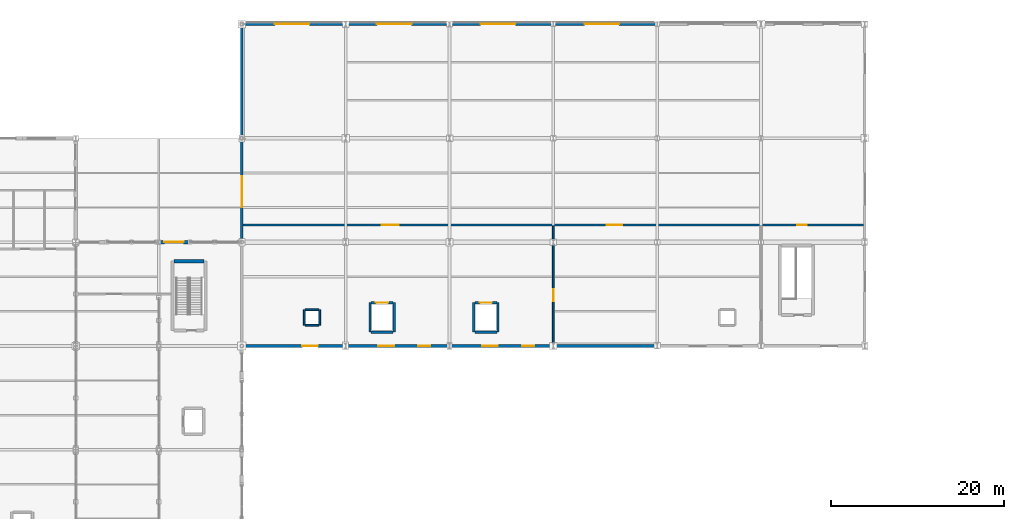
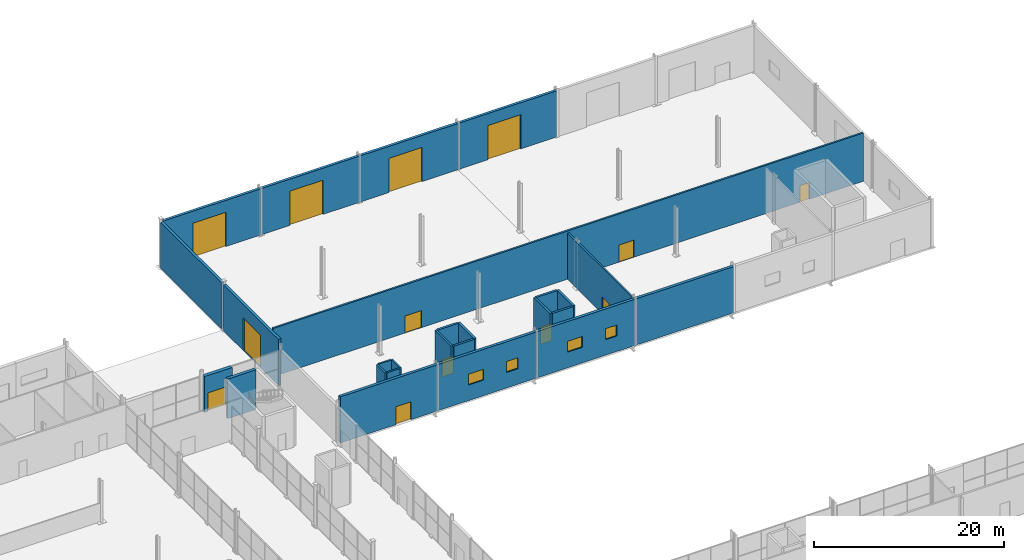
# One storey, part 173 of 196: 26 walls, 13 doors, 4 windows, 17 openings.
"""IFC4 building model written with IfcOpenShell, lengths in metres."""

from ifc_helpers import new_model, si_unit, direction, frame, frame_2d, origin, place, context, subcontext, project, spatial, rectangle, extrude, material, layer, layer_set, type_object, element, fill, save


model = new_model("IFC4")

# Units and contexts
model_context = context("Model", 3, precision=1e-05, world=origin(), true_north=direction((0.0, 1.0)))
body_context = subcontext(model_context, "Body", "Model", "MODEL_VIEW")
ifc_project = project(units=[si_unit("LENGTHUNIT", "METRE"), si_unit("AREAUNIT", "SQUARE_METRE"), si_unit("VOLUMEUNIT", "CUBIC_METRE"), si_unit("PLANEANGLEUNIT", "RADIAN"), si_unit("MASSUNIT", "GRAM", prefix="KILO")], contexts=[model_context])

# Site, building, storey
site_placement = place(None, origin())
site = spatial("IfcSite", under=ifc_project, at=site_placement, CompositionType="ELEMENT")
building_placement = place(site_placement, origin())
building = spatial("IfcBuilding", under=site, at=building_placement, Name="Merenkruunu Market Hall", CompositionType="ELEMENT")
storey_placement = place(building_placement, origin())
storey = spatial("IfcBuildingStorey", under=building, at=storey_placement, Name="L00", CompositionType="ELEMENT", Elevation=0.0)

# Wall, opening, door
ifc_material_1 = material(Name="Kuru grey granite", Category="masonry")
ifc_layer_1 = layer(ifc_material_1, 0.419921875)
ifc_layer_set_1 = layer_set([ifc_layer_1], Name="Kuru grey granite")
wall_type_1 = type_object("IfcWallType", Name="Exterior Envelope Wall EW01", PredefinedType="STANDARD", material=ifc_layer_set_1)
wall_1_placement = place(storey_placement, frame((67.4072265625, 99.60009765625, 0.0), z_axis=(0.0, 0.0, 1.0), x_axis=(1.0, 0.0, 0.0)))
wall_1 = element("IfcWall", 1, at=wall_1_placement, inside=storey, type_object=wall_type_1, Name="WALL-EXT-L00-0027", PredefinedType="STANDARD", context=body_context, shape_type="SweptSolid", body=[
    extrude(rectangle(XDim=3.392822265625, YDim=0.419921875, at=frame_2d((1.6962890625, 0.0))), origin(), (0.0, 0.0, 1.0), 4.635009765625),
])
opening_1_placement = place(wall_1_placement, frame((0.449951171875, 0.0, 0.0)))
opening_1 = element("IfcOpeningElement", 2, at=opening_1_placement, cuts=wall_1, Name="Opening EXD02", PredefinedType="OPENING", context=body_context, shape_type="SweptSolid", body=[
    extrude(rectangle(XDim=2.199951171875, YDim=2.39990234375, at=frame_2d((1.10009765625, 1.199951171875))), frame((0.0, 0.219970703125, 0.0), z_axis=(0.0, -1.0, 0.0), x_axis=(1.0, 0.0, 0.0)), (0.0, 0.0, 1.0), 0.43994140625),
])
ifc_material_2 = material(Name="Powder-coated aluminium", Category="aluminium")
door_type_1 = type_object("IfcDoorType", Name="Pedestrian Exit Door EXD02", OperationType="NOTDEFINED", PredefinedType="DOOR", material=ifc_material_2)
door_1_placement = place(opening_1_placement, origin())
door_1 = element("IfcDoor", 3, at=door_1_placement, inside=storey, type_object=door_type_1, Name="EX-13", OperationType="DOUBLE_DOOR_SINGLE_SWING", OverallHeight=2.39990234375, OverallWidth=2.199951171875, PredefinedType="DOOR", context=body_context, shape_type="SweptSolid", body=[
    extrude(rectangle(XDim=2.199951171875, YDim=2.39990234375, at=frame_2d((1.10009765625, 1.199951171875))), frame((0.0, 0.02490234375, 0.0), z_axis=(0.0, -1.0, 0.0), x_axis=(1.0, 0.0, 0.0)), (0.0, 0.0, 1.0), 0.050048828125),
])
fill(opening_1, door_1)

ifc_material_3 = material(Name="Precast concrete C40/50", Category="concrete")
ifc_layer_2 = layer(ifc_material_3, 0.340087890625)
ifc_layer_set_2 = layer_set([ifc_layer_2], Name="Precast concrete C40/50")
wall_type_2 = type_object("IfcWallType", Name="Exterior Envelope Wall EW03", PredefinedType="STANDARD", material=ifc_layer_set_2)
wall_2_placement = place(storey_placement, frame((88.789794921875, 87.60009765625, 0.0), z_axis=(0.0, 0.0, 1.0), x_axis=(-1.0, 0.0, 0.0)))
wall_2 = element("IfcWall", 4, at=wall_2_placement, inside=storey, type_object=wall_type_2, Name="WALL-EXT-L00-0051", PredefinedType="STANDARD", context=body_context, shape_type="SweptSolid", body=[
    extrude(rectangle(XDim=11.78271484375, YDim=0.340087890625, at=frame_2d((5.891357421875, 0.0))), origin(), (0.0, 0.0, 1.0), 5.93505859375),
])
opening_2_placement = place(wall_2_placement, frame((3.199951171875, 0.0, 0.0)))
opening_2 = element("IfcOpeningElement", 5, at=opening_2_placement, cuts=wall_2, Name="Opening EXD04", PredefinedType="OPENING", context=body_context, shape_type="SweptSolid", body=[
    extrude(rectangle(XDim=1.800048828125, YDim=2.300048828125, at=frame_2d((0.89990234375, 1.14990234375))), frame((0.0, 0.18017578125, 0.0), z_axis=(0.0, -1.0, 0.0), x_axis=(1.0, 0.0, 0.0)), (0.0, 0.0, 1.0), 0.360107421875),
])
door_type_2 = type_object("IfcDoorType", Name="Pedestrian Exit Door EXD04", OperationType="NOTDEFINED", PredefinedType="DOOR", material=ifc_material_2)
door_2_placement = place(opening_2_placement, origin())
door_2 = element("IfcDoor", 6, at=door_2_placement, inside=storey, type_object=door_type_2, Name="EX-23", OperationType="DOUBLE_DOOR_SINGLE_SWING", OverallHeight=2.300048828125, OverallWidth=1.800048828125, PredefinedType="DOOR", context=body_context, shape_type="SweptSolid", body=[
    extrude(rectangle(XDim=1.800048828125, YDim=2.300048828125, at=frame_2d((0.89990234375, 1.14990234375))), frame((0.0, 0.02490234375, 0.0), z_axis=(0.0, -1.0, 0.0), x_axis=(1.0, 0.0, 0.0)), (0.0, 0.0, 1.0), 0.050048828125),
])
fill(opening_2, door_2)

# Wall, openings, windows
wall_3_placement = place(storey_placement, frame((100.789794921875, 87.60009765625, 0.0), z_axis=(0.0, 0.0, 1.0), x_axis=(-1.0, 0.0, 0.0)))
wall_3 = element("IfcWall", 7, at=wall_3_placement, inside=storey, type_object=wall_type_2, Name="WALL-EXT-L00-0052", PredefinedType="STANDARD", context=body_context, shape_type="SweptSolid", body=[
    extrude(rectangle(XDim=11.9794921875, YDim=0.340087890625, at=frame_2d((5.98974609375, 0.0))), origin(), (0.0, 0.0, 1.0), 5.93505859375),
])
opening_3_placement = place(wall_3_placement, frame((2.199951171875, 0.0, 2.0)))
opening_3 = element("IfcOpeningElement", 8, at=opening_3_placement, cuts=wall_3, Name="Opening WN13", PredefinedType="OPENING", context=body_context, shape_type="SweptSolid", body=[
    extrude(rectangle(XDim=1.39990234375, YDim=1.39990234375, at=frame_2d((0.699951171875, 0.699951171875))), frame((0.0, 0.18017578125, 0.0), z_axis=(0.0, -1.0, 0.0), x_axis=(1.0, 0.0, 0.0)), (0.0, 0.0, 1.0), 0.360107421875),
])
opening_4_placement = place(wall_3_placement, frame((6.39990234375, 0.0, 2.0)))
opening_4 = element("IfcOpeningElement", 9, at=opening_4_placement, cuts=wall_3, Name="Opening WN14", PredefinedType="OPENING", context=body_context, shape_type="SweptSolid", body=[
    extrude(rectangle(XDim=1.800048828125, YDim=1.39990234375, at=frame_2d((0.89990234375, 0.699951171875))), frame((0.0, 0.18017578125, 0.0), z_axis=(0.0, -1.0, 0.0), x_axis=(1.0, 0.0, 0.0)), (0.0, 0.0, 1.0), 0.360107421875),
])
ifc_material_4 = material(Name="Triple low-E insulated glass", Category="glass")
ifc_layer_3 = layer(ifc_material_4, 0.06005859375)
ifc_layer_set_3 = layer_set([ifc_layer_3], Name="Triple low-E insulated glass")
window_type_1 = type_object("IfcWindowType", Name="Exterior Window WN13", PartitioningType="SINGLE_PANEL", PredefinedType="WINDOW", material=ifc_layer_set_3)
window_1_placement = place(opening_3_placement, origin())
window_1 = element("IfcWindow", 10, at=window_1_placement, inside=storey, type_object=window_type_1, Name="WIN-L00-0014", OverallHeight=1.39990234375, OverallWidth=1.39990234375, PartitioningType="SINGLE_PANEL", PredefinedType="WINDOW", context=body_context, shape_type="SweptSolid", body=[
    extrude(rectangle(XDim=1.39990234375, YDim=1.39990234375, at=frame_2d((0.699951171875, 0.699951171875))), frame((0.0, 0.030029296875, 0.0), z_axis=(0.0, -1.0, 0.0), x_axis=(1.0, 0.0, 0.0)), (0.0, 0.0, 1.0), 0.06005859375),
])
fill(opening_3, window_1)
ifc_layer_4 = layer(ifc_material_4, 0.06005859375)
ifc_layer_set_4 = layer_set([ifc_layer_4], Name="Triple low-E insulated glass")
window_type_2 = type_object("IfcWindowType", Name="Exterior Window WN14", PartitioningType="SINGLE_PANEL", PredefinedType="WINDOW", material=ifc_layer_set_4)
window_2_placement = place(opening_4_placement, origin())
window_2 = element("IfcWindow", 11, at=window_2_placement, inside=storey, type_object=window_type_2, Name="WIN-L00-0015", OverallHeight=1.39990234375, OverallWidth=1.800048828125, PartitioningType="SINGLE_PANEL", PredefinedType="WINDOW", context=body_context, shape_type="SweptSolid", body=[
    extrude(rectangle(XDim=1.800048828125, YDim=1.39990234375, at=frame_2d((0.89990234375, 0.699951171875))), frame((0.0, 0.030029296875, 0.0), z_axis=(0.0, -1.0, 0.0), x_axis=(1.0, 0.0, 0.0)), (0.0, 0.0, 1.0), 0.06005859375),
])
fill(opening_4, window_2)

wall_4_placement = place(storey_placement, frame((112.789794921875, 87.60009765625, 0.0), z_axis=(0.0, 0.0, 1.0), x_axis=(-1.0, 0.0, 0.0)))
wall_4 = element("IfcWall", 12, at=wall_4_placement, inside=storey, type_object=wall_type_2, Name="WALL-EXT-L00-0053", PredefinedType="STANDARD", context=body_context, shape_type="SweptSolid", body=[
    extrude(rectangle(XDim=11.9794921875, YDim=0.340087890625, at=frame_2d((5.98974609375, 0.0))), origin(), (0.0, 0.0, 1.0), 5.93505859375),
])
opening_5_placement = place(wall_4_placement, frame((2.199951171875, 0.0, 2.0)))
opening_5 = element("IfcOpeningElement", 13, at=opening_5_placement, cuts=wall_4, Name="Opening WN13", PredefinedType="OPENING", context=body_context, shape_type="SweptSolid", body=[
    extrude(rectangle(XDim=1.39990234375, YDim=1.39990234375, at=frame_2d((0.699951171875, 0.699951171875))), frame((0.0, 0.18017578125, 0.0), z_axis=(0.0, -1.0, 0.0), x_axis=(1.0, 0.0, 0.0)), (0.0, 0.0, 1.0), 0.360107421875),
])
opening_6_placement = place(wall_4_placement, frame((6.39990234375, 0.0, 2.0)))
opening_6 = element("IfcOpeningElement", 14, at=opening_6_placement, cuts=wall_4, Name="Opening WN14", PredefinedType="OPENING", context=body_context, shape_type="SweptSolid", body=[
    extrude(rectangle(XDim=1.800048828125, YDim=1.39990234375, at=frame_2d((0.89990234375, 0.699951171875))), frame((0.0, 0.18017578125, 0.0), z_axis=(0.0, -1.0, 0.0), x_axis=(1.0, 0.0, 0.0)), (0.0, 0.0, 1.0), 0.360107421875),
])
window_3_placement = place(opening_5_placement, origin())
window_3 = element("IfcWindow", 15, at=window_3_placement, inside=storey, type_object=window_type_1, Name="WIN-L00-0016", OverallHeight=1.39990234375, OverallWidth=1.39990234375, PartitioningType="SINGLE_PANEL", PredefinedType="WINDOW", context=body_context, shape_type="SweptSolid", body=[
    extrude(rectangle(XDim=1.39990234375, YDim=1.39990234375, at=frame_2d((0.699951171875, 0.699951171875))), frame((0.0, 0.030029296875, 0.0), z_axis=(0.0, -1.0, 0.0), x_axis=(1.0, 0.0, 0.0)), (0.0, 0.0, 1.0), 0.06005859375),
])
fill(opening_5, window_3)
window_4_placement = place(opening_6_placement, origin())
window_4 = element("IfcWindow", 16, at=window_4_placement, inside=storey, type_object=window_type_2, Name="WIN-L00-0017", OverallHeight=1.39990234375, OverallWidth=1.800048828125, PartitioningType="SINGLE_PANEL", PredefinedType="WINDOW", context=body_context, shape_type="SweptSolid", body=[
    extrude(rectangle(XDim=1.800048828125, YDim=1.39990234375, at=frame_2d((0.89990234375, 0.699951171875))), frame((0.0, 0.030029296875, 0.0), z_axis=(0.0, -1.0, 0.0), x_axis=(1.0, 0.0, 0.0)), (0.0, 0.0, 1.0), 0.06005859375),
])
fill(opening_6, window_4)

# Wall
wall_5_placement = place(storey_placement, frame((124.789794921875, 87.60009765625, 0.0), z_axis=(0.0, 0.0, 1.0), x_axis=(-1.0, 0.0, 0.0)))
element("IfcWall", 17, at=wall_5_placement, inside=storey, type_object=wall_type_2, Name="WALL-EXT-L00-0054", PredefinedType="STANDARD", context=body_context, shape_type="SweptSolid", body=[
    extrude(rectangle(XDim=11.9794921875, YDim=0.340087890625, at=frame_2d((5.98974609375, 0.0))), origin(), (0.0, 0.0, 1.0), 5.93505859375),
])

# Wall, opening, door
ifc_material_5 = material(Name="Ribbed insulated steel cladding", Category="steel")
ifc_layer_5 = layer(ifc_material_5, 0.320068359375)
ifc_layer_set_5 = layer_set([ifc_layer_5], Name="Ribbed insulated steel cladding")
wall_type_3 = type_object("IfcWallType", Name="Exterior Envelope Wall EW04", PredefinedType="STANDARD", material=ifc_layer_set_5)
wall_6_placement = place(storey_placement, frame((77.007080078125, 124.800048828125, 0.0), z_axis=(0.0, 0.0, 1.0), x_axis=(1.0, 0.0, 0.0)))
wall_6 = element("IfcWall", 18, at=wall_6_placement, inside=storey, type_object=wall_type_3, Name="WALL-EXT-L00-0039", PredefinedType="STANDARD", context=body_context, shape_type="SweptSolid", body=[
    extrude(rectangle(XDim=11.78271484375, YDim=0.320068359375, at=frame_2d((5.891357421875, 0.0))), origin(), (0.0, 0.0, 1.0), 5.93505859375),
])
opening_7_placement = place(wall_6_placement, frame((3.60009765625, 0.0, 0.0)))
opening_7 = element("IfcOpeningElement", 19, at=opening_7_placement, cuts=wall_6, Name="Opening SHG01", PredefinedType="OPENING", context=body_context, shape_type="SweptSolid", body=[
    extrude(rectangle(XDim=4.0, YDim=4.39990234375, at=frame_2d((2.0, 2.199951171875))), frame((0.0, 0.169921875, 0.0), z_axis=(0.0, -1.0, 0.0), x_axis=(1.0, 0.0, 0.0)), (0.0, 0.0, 1.0), 0.340087890625),
])
door_type_3 = type_object("IfcDoorType", Name="Loading Dock Sectional Gate SHG01", OperationType="NOTDEFINED", PredefinedType="GATE", material=ifc_material_2)
door_3_placement = place(opening_7_placement, origin())
door_3 = element("IfcDoor", 20, at=door_3_placement, inside=storey, type_object=door_type_3, Name="Loading dock gate SH01", OperationType="ROLLINGUP", OverallHeight=4.39990234375, OverallWidth=4.0, PredefinedType="GATE", context=body_context, shape_type="SweptSolid", body=[
    extrude(rectangle(XDim=4.0, YDim=4.39990234375, at=frame_2d((2.0, 2.199951171875))), frame((0.0, 0.02490234375, 0.0), z_axis=(0.0, -1.0, 0.0), x_axis=(1.0, 0.0, 0.0)), (0.0, 0.0, 1.0), 0.050048828125),
])
fill(opening_7, door_3)

wall_7_placement = place(storey_placement, frame((88.810302734375, 124.800048828125, 0.0), z_axis=(0.0, 0.0, 1.0), x_axis=(1.0, 0.0, 0.0)))
wall_7 = element("IfcWall", 21, at=wall_7_placement, inside=storey, type_object=wall_type_3, Name="WALL-EXT-L00-0040", PredefinedType="STANDARD", context=body_context, shape_type="SweptSolid", body=[
    extrude(rectangle(XDim=11.9794921875, YDim=0.320068359375, at=frame_2d((5.98974609375, 0.0))), origin(), (0.0, 0.0, 1.0), 5.93505859375),
])
opening_8_placement = place(wall_7_placement, frame((3.60009765625, 0.0, 0.0)))
opening_8 = element("IfcOpeningElement", 22, at=opening_8_placement, cuts=wall_7, Name="Opening SHG01", PredefinedType="OPENING", context=body_context, shape_type="SweptSolid", body=[
    extrude(rectangle(XDim=4.0, YDim=4.39990234375, at=frame_2d((2.0, 2.199951171875))), frame((0.0, 0.169921875, 0.0), z_axis=(0.0, -1.0, 0.0), x_axis=(1.0, 0.0, 0.0)), (0.0, 0.0, 1.0), 0.340087890625),
])
door_4_placement = place(opening_8_placement, origin())
door_4 = element("IfcDoor", 23, at=door_4_placement, inside=storey, type_object=door_type_3, Name="Loading dock gate SH02", OperationType="ROLLINGUP", OverallHeight=4.39990234375, OverallWidth=4.0, PredefinedType="GATE", context=body_context, shape_type="SweptSolid", body=[
    extrude(rectangle(XDim=4.0, YDim=4.39990234375, at=frame_2d((2.0, 2.199951171875))), frame((0.0, 0.02490234375, 0.0), z_axis=(0.0, -1.0, 0.0), x_axis=(1.0, 0.0, 0.0)), (0.0, 0.0, 1.0), 0.050048828125),
])
fill(opening_8, door_4)

wall_8_placement = place(storey_placement, frame((100.810302734375, 124.800048828125, 0.0), z_axis=(0.0, 0.0, 1.0), x_axis=(1.0, 0.0, 0.0)))
wall_8 = element("IfcWall", 24, at=wall_8_placement, inside=storey, type_object=wall_type_3, Name="WALL-EXT-L00-0041", PredefinedType="STANDARD", context=body_context, shape_type="SweptSolid", body=[
    extrude(rectangle(XDim=11.9794921875, YDim=0.320068359375, at=frame_2d((5.98974609375, 0.0))), origin(), (0.0, 0.0, 1.0), 5.93505859375),
])
opening_9_placement = place(wall_8_placement, frame((3.60009765625, 0.0, 0.0)))
opening_9 = element("IfcOpeningElement", 25, at=opening_9_placement, cuts=wall_8, Name="Opening SHG01", PredefinedType="OPENING", context=body_context, shape_type="SweptSolid", body=[
    extrude(rectangle(XDim=4.0, YDim=4.39990234375, at=frame_2d((2.0, 2.199951171875))), frame((0.0, 0.169921875, 0.0), z_axis=(0.0, -1.0, 0.0), x_axis=(1.0, 0.0, 0.0)), (0.0, 0.0, 1.0), 0.340087890625),
])
door_5_placement = place(opening_9_placement, origin())
door_5 = element("IfcDoor", 26, at=door_5_placement, inside=storey, type_object=door_type_3, Name="Loading dock gate SH03", OperationType="ROLLINGUP", OverallHeight=4.39990234375, OverallWidth=4.0, PredefinedType="GATE", context=body_context, shape_type="SweptSolid", body=[
    extrude(rectangle(XDim=4.0, YDim=4.39990234375, at=frame_2d((2.0, 2.199951171875))), frame((0.0, 0.02490234375, 0.0), z_axis=(0.0, -1.0, 0.0), x_axis=(1.0, 0.0, 0.0)), (0.0, 0.0, 1.0), 0.050048828125),
])
fill(opening_9, door_5)

wall_9_placement = place(storey_placement, frame((112.810302734375, 124.800048828125, 0.0), z_axis=(0.0, 0.0, 1.0), x_axis=(1.0, 0.0, 0.0)))
wall_9 = element("IfcWall", 27, at=wall_9_placement, inside=storey, type_object=wall_type_3, Name="WALL-EXT-L00-0042", PredefinedType="STANDARD", context=body_context, shape_type="SweptSolid", body=[
    extrude(rectangle(XDim=11.9794921875, YDim=0.320068359375, at=frame_2d((5.98974609375, 0.0))), origin(), (0.0, 0.0, 1.0), 5.93505859375),
])
opening_10_placement = place(wall_9_placement, frame((3.60009765625, 0.0, 0.0)))
opening_10 = element("IfcOpeningElement", 28, at=opening_10_placement, cuts=wall_9, Name="Opening SHG01", PredefinedType="OPENING", context=body_context, shape_type="SweptSolid", body=[
    extrude(rectangle(XDim=4.0, YDim=4.39990234375, at=frame_2d((2.0, 2.199951171875))), frame((0.0, 0.169921875, 0.0), z_axis=(0.0, -1.0, 0.0), x_axis=(1.0, 0.0, 0.0)), (0.0, 0.0, 1.0), 0.340087890625),
])
door_6_placement = place(opening_10_placement, origin())
door_6 = element("IfcDoor", 29, at=door_6_placement, inside=storey, type_object=door_type_3, Name="Loading dock gate SH04", OperationType="ROLLINGUP", OverallHeight=4.39990234375, OverallWidth=4.0, PredefinedType="GATE", context=body_context, shape_type="SweptSolid", body=[
    extrude(rectangle(XDim=4.0, YDim=4.39990234375, at=frame_2d((2.0, 2.199951171875))), frame((0.0, 0.02490234375, 0.0), z_axis=(0.0, -1.0, 0.0), x_axis=(1.0, 0.0, 0.0)), (0.0, 0.0, 1.0), 0.050048828125),
])
fill(opening_10, door_6)

wall_10_placement = place(storey_placement, frame((76.800048828125, 99.80712890625, 0.0), z_axis=(0.0, 0.0, 1.0), x_axis=(0.0, 1.0, 0.0)))
wall_10 = element("IfcWall", 30, at=wall_10_placement, inside=storey, type_object=wall_type_3, Name="WALL-EXT-L00-0046", PredefinedType="STANDARD", context=body_context, shape_type="SweptSolid", body=[
    extrude(rectangle(XDim=11.585693359375, YDim=0.320068359375, at=frame_2d((5.79296875, 0.0))), origin(), (0.0, 0.0, 1.0), 5.93505859375),
])
opening_11_placement = place(wall_10_placement, frame((3.800048828125, 0.0, 0.0)))
opening_11 = element("IfcOpeningElement", 31, at=opening_11_placement, cuts=wall_10, Name="Opening SHG02", PredefinedType="OPENING", context=body_context, shape_type="SweptSolid", body=[
    extrude(rectangle(XDim=3.60009765625, YDim=4.199951171875, at=frame_2d((1.800048828125, 2.10009765625))), frame((0.0, 0.169921875, 0.0), z_axis=(0.0, -1.0, 0.0), x_axis=(1.0, 0.0, 0.0)), (0.0, 0.0, 1.0), 0.340087890625),
])
door_type_4 = type_object("IfcDoorType", Name="Loading Dock Sectional Gate SHG02", OperationType="NOTDEFINED", PredefinedType="GATE", material=ifc_material_2)
door_7_placement = place(opening_11_placement, origin())
door_7 = element("IfcDoor", 32, at=door_7_placement, inside=storey, type_object=door_type_4, Name="Loading dock gate SH06", OperationType="ROLLINGUP", OverallHeight=4.199951171875, OverallWidth=3.60009765625, PredefinedType="GATE", context=body_context, shape_type="SweptSolid", body=[
    extrude(rectangle(XDim=3.60009765625, YDim=4.199951171875, at=frame_2d((1.800048828125, 2.10009765625))), frame((0.0, 0.02490234375, 0.0), z_axis=(0.0, -1.0, 0.0), x_axis=(1.0, 0.0, 0.0)), (0.0, 0.0, 1.0), 0.050048828125),
])
fill(opening_11, door_7)

# Wall
wall_11_placement = place(storey_placement, frame((76.800048828125, 111.80712890625, 0.0), z_axis=(0.0, 0.0, 1.0), x_axis=(0.0, 1.0, 0.0)))
element("IfcWall", 33, at=wall_11_placement, inside=storey, type_object=wall_type_3, Name="WALL-EXT-L00-0047", PredefinedType="STANDARD", context=body_context, shape_type="SweptSolid", body=[
    extrude(rectangle(XDim=12.78564453125, YDim=0.320068359375, at=frame_2d((6.392822265625, 0.0))), origin(), (0.0, 0.0, 1.0), 5.93505859375),
])

# Wall, openings, doors
ifc_material_6 = material(Name="Acoustic mineral wool panel")
ifc_layer_6 = layer(ifc_material_6, 0.219970703125)
ifc_layer_set_6 = layer_set([ifc_layer_6], Name="Acoustic mineral wool panel")
wall_type_4 = type_object("IfcWallType", Name="Interior Partition Wall FW01", PredefinedType="PARTITIONING", material=ifc_layer_set_6)
wall_12_placement = place(storey_placement, frame((76.9619140625, 101.60009765625, 0.0), z_axis=(0.0, 0.0, 1.0), x_axis=(1.0, 0.0, 0.0)))
wall_12 = element("IfcWall", 34, at=wall_12_placement, inside=storey, type_object=wall_type_4, Name="WALL-INT-L00-0039", PredefinedType="PARTITIONING", context=body_context, shape_type="SweptSolid", body=[
    extrude(rectangle(XDim=71.676025390625, YDim=0.219970703125, at=frame_2d((35.837890625, 0.0))), origin(), (0.0, 0.0, 1.0), 6.199951171875),
])
opening_12_placement = place(wall_12_placement, frame((16.0, 0.0, 0.0)))
opening_12 = element("IfcOpeningElement", 35, at=opening_12_placement, cuts=wall_12, Name="Opening FD07", PredefinedType="OPENING", context=body_context, shape_type="SweptSolid", body=[
    extrude(rectangle(XDim=2.0, YDim=2.199951171875, at=frame_2d((1.0, 1.10009765625))), frame((0.0, 0.1201171875, 0.0), z_axis=(0.0, -1.0, 0.0), x_axis=(1.0, 0.0, 0.0)), (0.0, 0.0, 1.0), 0.239990234375),
])
opening_13_placement = place(wall_12_placement, frame((42.0, 0.0, 0.0)))
opening_13 = element("IfcOpeningElement", 36, at=opening_13_placement, cuts=wall_12, Name="Opening FD06", PredefinedType="OPENING", context=body_context, shape_type="SweptSolid", body=[
    extrude(rectangle(XDim=1.800048828125, YDim=2.199951171875, at=frame_2d((0.89990234375, 1.10009765625))), frame((0.0, 0.1201171875, 0.0), z_axis=(0.0, -1.0, 0.0), x_axis=(1.0, 0.0, 0.0)), (0.0, 0.0, 1.0), 0.239990234375),
])
opening_14_placement = place(wall_12_placement, frame((64.0, 0.0, 0.0)))
opening_14 = element("IfcOpeningElement", 37, at=opening_14_placement, cuts=wall_12, Name="Opening FD02", PredefinedType="OPENING", context=body_context, shape_type="SweptSolid", body=[
    extrude(rectangle(XDim=1.10009765625, YDim=2.14990234375, at=frame_2d((0.550048828125, 1.074951171875))), frame((0.0, 0.1201171875, 0.0), z_axis=(0.0, -1.0, 0.0), x_axis=(1.0, 0.0, 0.0)), (0.0, 0.0, 1.0), 0.239990234375),
])
door_type_5 = type_object("IfcDoorType", Name="Fire Compartment Door FD02", OperationType="NOTDEFINED", PredefinedType="DOOR", material=ifc_material_2)
door_8_placement = place(opening_14_placement, origin())
door_8 = element("IfcDoor", 38, at=door_8_placement, inside=storey, type_object=door_type_5, Name="DR-L00-043", OperationType="SINGLE_SWING_LEFT", OverallHeight=2.14990234375, OverallWidth=1.10009765625, PredefinedType="DOOR", context=body_context, shape_type="SweptSolid", body=[
    extrude(rectangle(XDim=1.10009765625, YDim=2.14990234375, at=frame_2d((0.550048828125, 1.074951171875))), frame((0.0, 0.02490234375, 0.0), z_axis=(0.0, -1.0, 0.0), x_axis=(1.0, 0.0, 0.0)), (0.0, 0.0, 1.0), 0.050048828125),
])
fill(opening_14, door_8)
door_type_6 = type_object("IfcDoorType", Name="Fire Compartment Door FD06", OperationType="NOTDEFINED", PredefinedType="DOOR", material=ifc_material_2)
door_9_placement = place(opening_13_placement, origin())
door_9 = element("IfcDoor", 39, at=door_9_placement, inside=storey, type_object=door_type_6, Name="DR-L00-042", OperationType="SINGLE_SWING_RIGHT", OverallHeight=2.199951171875, OverallWidth=1.800048828125, PredefinedType="DOOR", context=body_context, shape_type="SweptSolid", body=[
    extrude(rectangle(XDim=1.800048828125, YDim=2.199951171875, at=frame_2d((0.89990234375, 1.10009765625))), frame((0.0, 0.02490234375, 0.0), z_axis=(0.0, -1.0, 0.0), x_axis=(1.0, 0.0, 0.0)), (0.0, 0.0, 1.0), 0.050048828125),
])
fill(opening_13, door_9)
door_type_7 = type_object("IfcDoorType", Name="Fire Compartment Door FD07", OperationType="NOTDEFINED", PredefinedType="DOOR", material=ifc_material_2)
door_10_placement = place(opening_12_placement, origin())
door_10 = element("IfcDoor", 40, at=door_10_placement, inside=storey, type_object=door_type_7, Name="DR-L00-041", OperationType="SINGLE_SWING_LEFT", OverallHeight=2.199951171875, OverallWidth=2.0, PredefinedType="DOOR", context=body_context, shape_type="SweptSolid", body=[
    extrude(rectangle(XDim=2.0, YDim=2.199951171875, at=frame_2d((1.0, 1.10009765625))), frame((0.0, 0.02490234375, 0.0), z_axis=(0.0, -1.0, 0.0), x_axis=(1.0, 0.0, 0.0)), (0.0, 0.0, 1.0), 0.050048828125),
])
fill(opening_12, door_10)

# Wall, opening, door
ifc_material_7 = material(Name="Gypsum fire compartment board")
ifc_layer_7 = layer(ifc_material_7, 0.199951171875)
ifc_layer_set_7 = layer_set([ifc_layer_7], Name="Gypsum fire compartment board")
wall_type_5 = type_object("IfcWallType", Name="Interior Partition Wall FW02", PredefinedType="PARTITIONING", material=ifc_layer_set_7)
wall_13_placement = place(storey_placement, frame((112.800048828125, 87.77197265625, 0.0), z_axis=(0.0, 0.0, 1.0), x_axis=(0.0, 1.0, 0.0)))
wall_13 = element("IfcWall", 41, at=wall_13_placement, inside=storey, type_object=wall_type_5, Name="WALL-INT-L00-0040", PredefinedType="PARTITIONING", context=body_context, shape_type="SweptSolid", body=[
    extrude(rectangle(XDim=13.716064453125, YDim=0.199951171875, at=frame_2d((6.85791015625, 0.0))), origin(), (0.0, 0.0, 1.0), 5.93505859375),
])
opening_15_placement = place(wall_13_placement, frame((5.0, 0.0, 0.0)))
opening_15 = element("IfcOpeningElement", 42, at=opening_15_placement, cuts=wall_13, Name="Opening FD04", PredefinedType="OPENING", context=body_context, shape_type="SweptSolid", body=[
    extrude(rectangle(XDim=1.39990234375, YDim=2.199951171875, at=frame_2d((0.699951171875, 1.10009765625))), frame((0.0, 0.10986328125, 0.0), z_axis=(0.0, -1.0, 0.0), x_axis=(1.0, 0.0, 0.0)), (0.0, 0.0, 1.0), 0.219970703125),
])
door_type_8 = type_object("IfcDoorType", Name="Fire Compartment Door FD04", OperationType="NOTDEFINED", PredefinedType="DOOR", material=ifc_material_2)
door_11_placement = place(opening_15_placement, origin())
door_11 = element("IfcDoor", 43, at=door_11_placement, inside=storey, type_object=door_type_8, Name="DR-L00-044", OperationType="SINGLE_SWING_RIGHT", OverallHeight=2.199951171875, OverallWidth=1.39990234375, PredefinedType="DOOR", context=body_context, shape_type="SweptSolid", body=[
    extrude(rectangle(XDim=1.39990234375, YDim=2.199951171875, at=frame_2d((0.699951171875, 1.10009765625))), frame((0.0, 0.02490234375, 0.0), z_axis=(0.0, -1.0, 0.0), x_axis=(1.0, 0.0, 0.0)), (0.0, 0.0, 1.0), 0.050048828125),
])
fill(opening_15, door_11)

# Walls
wall_14_placement = place(storey_placement, frame((84.10205078125, 90.0, 0.0), z_axis=(0.0, 0.0, 1.0), x_axis=(1.0, 0.0, 0.0)))
element("IfcWall", 44, at=wall_14_placement, inside=storey, type_object=wall_type_5, Name="WALL-INT-L00-0111", PredefinedType="PARTITIONING", context=body_context, shape_type="SweptSolid", body=[
    extrude(rectangle(XDim=1.595947265625, YDim=0.199951171875, at=frame_2d((0.7978515625, 0.0))), origin(), (0.0, 0.0, 1.0), 5.0400390625),
])
wall_15_placement = place(storey_placement, frame((85.800048828125, 90.0, 0.0), z_axis=(0.0, 0.0, 1.0), x_axis=(0.0, 1.0, 0.0)))
element("IfcWall", 45, at=wall_15_placement, inside=storey, type_object=wall_type_5, Name="WALL-INT-L00-0112", PredefinedType="PARTITIONING", context=body_context, shape_type="SweptSolid", body=[
    extrude(rectangle(XDim=1.800048828125, YDim=0.199951171875, at=frame_2d((0.89990234375, 0.0))), origin(), (0.0, 0.0, 1.0), 5.0400390625),
])
wall_16_placement = place(storey_placement, frame((85.697998046875, 91.800048828125, 0.0), z_axis=(0.0, 0.0, 1.0), x_axis=(-1.0, 0.0, 0.0)))
element("IfcWall", 46, at=wall_16_placement, inside=storey, type_object=wall_type_5, Name="WALL-INT-L00-0113", PredefinedType="PARTITIONING", context=body_context, shape_type="SweptSolid", body=[
    extrude(rectangle(XDim=1.595947265625, YDim=0.199951171875, at=frame_2d((0.7978515625, 0.0))), origin(), (0.0, 0.0, 1.0), 5.0400390625),
])
wall_17_placement = place(storey_placement, frame((84.0, 91.800048828125, 0.0), z_axis=(0.0, 0.0, 1.0), x_axis=(0.0, -1.0, 0.0)))
element("IfcWall", 47, at=wall_17_placement, inside=storey, type_object=wall_type_5, Name="WALL-INT-L00-0114", PredefinedType="PARTITIONING", context=body_context, shape_type="SweptSolid", body=[
    extrude(rectangle(XDim=1.800048828125, YDim=0.199951171875, at=frame_2d((0.89990234375, 0.0))), origin(), (0.0, 0.0, 1.0), 5.0400390625),
])
ifc_material_8 = material(Name="Concrete C35/45", Category="concrete")
ifc_layer_8 = layer(ifc_material_8, 0.360107421875)
ifc_layer_set_8 = layer_set([ifc_layer_8], Name="Concrete C35/45")
wall_type_6 = type_object("IfcWallType", Name="Structural Shear Wall SW01", PredefinedType="SHEAR", material=ifc_layer_set_8)
wall_18_placement = place(storey_placement, frame((72.419921875, 97.39990234375, 0.0), z_axis=(0.0, 0.0, 1.0), x_axis=(-1.0, 0.0, 0.0)))
element("IfcWall", 48, at=wall_18_placement, inside=storey, type_object=wall_type_6, Name="WALL-CORE-K4-L00-N", PredefinedType="SHEAR", context=body_context, shape_type="SweptSolid", body=[
    extrude(rectangle(XDim=3.43994140625, YDim=0.360107421875, at=frame_2d((1.719970703125, 0.0))), origin(), (0.0, 0.0, 1.0), 5.090087890625),
])
ifc_layer_9 = layer(ifc_material_8, 0.260009765625)
ifc_layer_set_9 = layer_set([ifc_layer_9], Name="Concrete C35/45")
wall_type_7 = type_object("IfcWallType", Name="Structural Shear Wall SW03", PredefinedType="SHEAR", material=ifc_layer_set_9)
wall_19_placement = place(storey_placement, frame((91.72998046875, 89.199951171875, 0.0), z_axis=(0.0, 0.0, 1.0), x_axis=(1.0, 0.0, 0.0)))
element("IfcWall", 49, at=wall_19_placement, inside=storey, type_object=wall_type_7, Name="WALL-LIFT-LG2-L00-S", PredefinedType="SHEAR", context=body_context, shape_type="SweptSolid", body=[
    extrude(rectangle(XDim=2.5400390625, YDim=0.260009765625, at=frame_2d((1.27001953125, 0.0))), origin(), (0.0, 0.0, 1.0), 6.280029296875),
])
wall_20_placement = place(storey_placement, frame((94.39990234375, 89.199951171875, 0.0), z_axis=(0.0, 0.0, 1.0), x_axis=(0.0, 1.0, 0.0)))
element("IfcWall", 50, at=wall_20_placement, inside=storey, type_object=wall_type_7, Name="WALL-LIFT-LG2-L00-E", PredefinedType="SHEAR", context=body_context, shape_type="SweptSolid", body=[
    extrude(rectangle(XDim=3.400146484375, YDim=0.260009765625, at=frame_2d((1.7001953125, 0.0))), origin(), (0.0, 0.0, 1.0), 6.280029296875),
])

# Wall, opening, door
wall_21_placement = place(storey_placement, frame((94.27001953125, 92.60009765625, 0.0), z_axis=(0.0, 0.0, 1.0), x_axis=(-1.0, 0.0, 0.0)))
wall_21 = element("IfcWall", 51, at=wall_21_placement, inside=storey, type_object=wall_type_7, Name="WALL-LIFT-LG2-L00-N", PredefinedType="SHEAR", context=body_context, shape_type="SweptSolid", body=[
    extrude(rectangle(XDim=2.5400390625, YDim=0.260009765625, at=frame_2d((1.27001953125, 0.0))), origin(), (0.0, 0.0, 1.0), 6.280029296875),
])
opening_16_placement = place(wall_21_placement, frame((0.570068359375, 0.0, 0.0)))
opening_16 = element("IfcOpeningElement", 52, at=opening_16_placement, cuts=wall_21, Name="Opening LD02", PredefinedType="OPENING", context=body_context, shape_type="SweptSolid", body=[
    extrude(rectangle(XDim=1.39990234375, YDim=2.25, at=frame_2d((0.699951171875, 1.125))), frame((0.0, 0.14013671875, 0.0), z_axis=(0.0, -1.0, 0.0), x_axis=(1.0, 0.0, 0.0)), (0.0, 0.0, 1.0), 0.280029296875),
])
ifc_material_9 = material(Name="Brushed stainless steel", Category="steel")
door_type_9 = type_object("IfcDoorType", Name="Lift Landing Sliding Door LD02", OperationType="NOTDEFINED", PredefinedType="DOOR", material=ifc_material_9)
door_12_placement = place(opening_16_placement, origin())
door_12 = element("IfcDoor", 53, at=door_12_placement, inside=storey, type_object=door_type_9, Name="Lift landing door LG2 L00", OperationType="DOUBLE_DOOR_SLIDING", OverallHeight=2.25, OverallWidth=1.39990234375, PredefinedType="DOOR", context=body_context, shape_type="SweptSolid", body=[
    extrude(rectangle(XDim=1.39990234375, YDim=2.25, at=frame_2d((0.699951171875, 1.125))), frame((0.0, 0.02490234375, 0.0), z_axis=(0.0, -1.0, 0.0), x_axis=(1.0, 0.0, 0.0)), (0.0, 0.0, 1.0), 0.050048828125),
])
fill(opening_16, door_12)

# Walls
wall_22_placement = place(storey_placement, frame((91.60009765625, 92.60009765625, 0.0), z_axis=(0.0, 0.0, 1.0), x_axis=(0.0, -1.0, 0.0)))
element("IfcWall", 54, at=wall_22_placement, inside=storey, type_object=wall_type_7, Name="WALL-LIFT-LG2-L00-W", PredefinedType="SHEAR", context=body_context, shape_type="SweptSolid", body=[
    extrude(rectangle(XDim=3.400146484375, YDim=0.260009765625, at=frame_2d((1.7001953125, 0.0))), origin(), (0.0, 0.0, 1.0), 6.280029296875),
])
wall_23_placement = place(storey_placement, frame((103.72998046875, 89.199951171875, 0.0), z_axis=(0.0, 0.0, 1.0), x_axis=(1.0, 0.0, 0.0)))
element("IfcWall", 55, at=wall_23_placement, inside=storey, type_object=wall_type_7, Name="WALL-LIFT-LG3-L00-S", PredefinedType="SHEAR", context=body_context, shape_type="SweptSolid", body=[
    extrude(rectangle(XDim=2.5400390625, YDim=0.260009765625, at=frame_2d((1.27001953125, 0.0))), origin(), (0.0, 0.0, 1.0), 6.280029296875),
])
wall_24_placement = place(storey_placement, frame((106.39990234375, 89.199951171875, 0.0), z_axis=(0.0, 0.0, 1.0), x_axis=(0.0, 1.0, 0.0)))
element("IfcWall", 56, at=wall_24_placement, inside=storey, type_object=wall_type_7, Name="WALL-LIFT-LG3-L00-E", PredefinedType="SHEAR", context=body_context, shape_type="SweptSolid", body=[
    extrude(rectangle(XDim=3.400146484375, YDim=0.260009765625, at=frame_2d((1.7001953125, 0.0))), origin(), (0.0, 0.0, 1.0), 6.280029296875),
])

# Wall, opening, door
wall_25_placement = place(storey_placement, frame((106.27001953125, 92.60009765625, 0.0), z_axis=(0.0, 0.0, 1.0), x_axis=(-1.0, 0.0, 0.0)))
wall_25 = element("IfcWall", 57, at=wall_25_placement, inside=storey, type_object=wall_type_7, Name="WALL-LIFT-LG3-L00-N", PredefinedType="SHEAR", context=body_context, shape_type="SweptSolid", body=[
    extrude(rectangle(XDim=2.5400390625, YDim=0.260009765625, at=frame_2d((1.27001953125, 0.0))), origin(), (0.0, 0.0, 1.0), 6.280029296875),
])
opening_17_placement = place(wall_25_placement, frame((0.570068359375, 0.0, 0.0)))
opening_17 = element("IfcOpeningElement", 58, at=opening_17_placement, cuts=wall_25, Name="Opening LD02", PredefinedType="OPENING", context=body_context, shape_type="SweptSolid", body=[
    extrude(rectangle(XDim=1.39990234375, YDim=2.25, at=frame_2d((0.699951171875, 1.125))), frame((0.0, 0.14013671875, 0.0), z_axis=(0.0, -1.0, 0.0), x_axis=(1.0, 0.0, 0.0)), (0.0, 0.0, 1.0), 0.280029296875),
])
door_13_placement = place(opening_17_placement, origin())
door_13 = element("IfcDoor", 59, at=door_13_placement, inside=storey, type_object=door_type_9, Name="Lift landing door LG3 L00", OperationType="DOUBLE_DOOR_SLIDING", OverallHeight=2.25, OverallWidth=1.39990234375, PredefinedType="DOOR", context=body_context, shape_type="SweptSolid", body=[
    extrude(rectangle(XDim=1.39990234375, YDim=2.25, at=frame_2d((0.699951171875, 1.125))), frame((0.0, 0.02490234375, 0.0), z_axis=(0.0, -1.0, 0.0), x_axis=(1.0, 0.0, 0.0)), (0.0, 0.0, 1.0), 0.050048828125),
])
fill(opening_17, door_13)

# Wall
wall_26_placement = place(storey_placement, frame((103.60009765625, 92.60009765625, 0.0), z_axis=(0.0, 0.0, 1.0), x_axis=(0.0, -1.0, 0.0)))
element("IfcWall", 60, at=wall_26_placement, inside=storey, type_object=wall_type_7, Name="WALL-LIFT-LG3-L00-W", PredefinedType="SHEAR", context=body_context, shape_type="SweptSolid", body=[
    extrude(rectangle(XDim=3.400146484375, YDim=0.260009765625, at=frame_2d((1.7001953125, 0.0))), origin(), (0.0, 0.0, 1.0), 6.280029296875),
])

save(model, "model.ifc")
